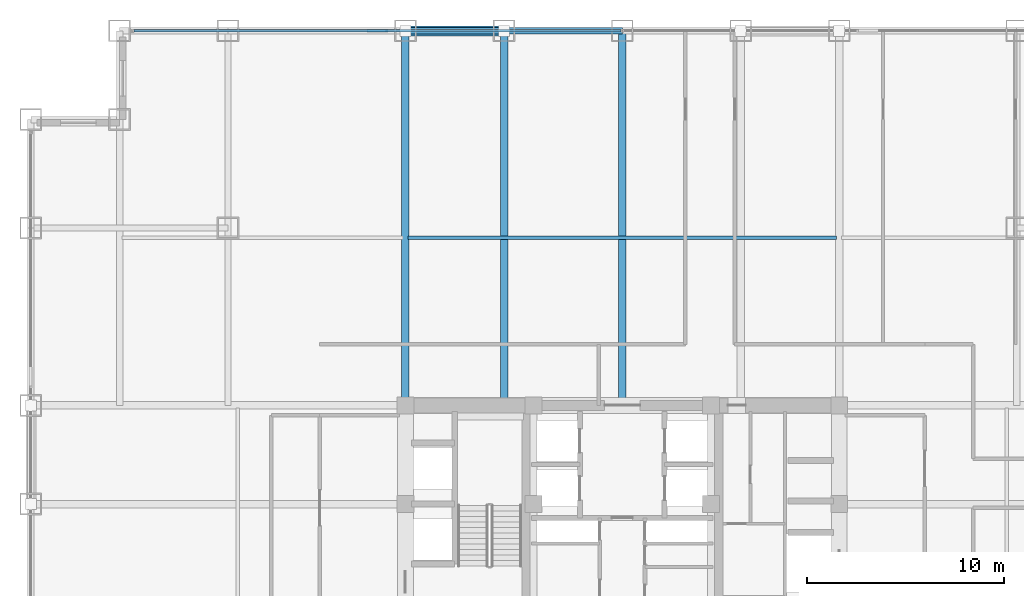
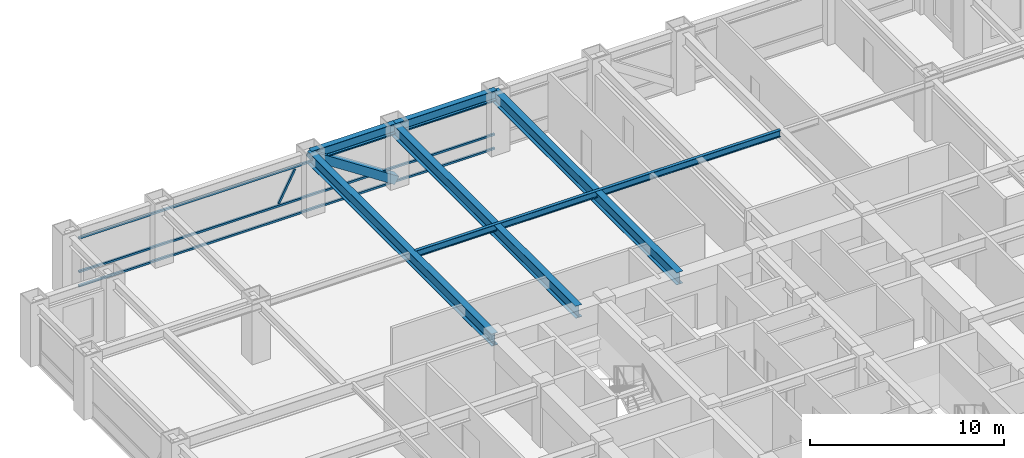
# One storey, part 15 of 24: 6 beams, 5 members, 1 element without a shape of its own.
"""IFC4 building model written with IfcOpenShell, lengths in metres."""

from ifc_helpers import new_model, si_unit, direction, frame, origin, origin_2d, place, context, subcontext, project, spatial, hollow_rectangle, i_section, extrude, source, transform, mapped, material, material_profile, profile_set, type_object, element, aggregate, save


model = new_model("IFC4")

# Units and contexts
model_context = context("Model", 3, precision=1e-05, world=origin(), true_north=direction((0.0, 1.0)))
body_context = subcontext(model_context, "Body", "Model", "MODEL_VIEW")
ifc_project = project(units=[si_unit("LENGTHUNIT", "METRE"), si_unit("AREAUNIT", "SQUARE_METRE"), si_unit("VOLUMEUNIT", "CUBIC_METRE"), si_unit("PLANEANGLEUNIT", "RADIAN"), si_unit("MASSUNIT", "GRAM", prefix="KILO")], contexts=[model_context])

# Site, building, storey
site_placement = place(None, origin())
site = spatial("IfcSite", under=ifc_project, at=site_placement, CompositionType="ELEMENT")
building_placement = place(site_placement, origin())
building = spatial("IfcBuilding", under=site, at=building_placement, Name="Khorayat Bourse Tower", CompositionType="ELEMENT")
storey_placement = place(building_placement, frame((0.0, 0.0, 159.10009765625)))
storey = spatial("IfcBuildingStorey", under=building, at=storey_placement, Name="L36", CompositionType="ELEMENT", Elevation=159.10009765625)

# Beams
ifc_material_1 = material(Name="Steel ASTM A992 Grade 50", Category="steel")
ifc_material_profile_1 = material_profile(ifc_material_1, i_section(OverallWidth=0.381103515625, OverallDepth=0.77294921875, WebThickness=0.0166015625, FlangeThickness=0.027587890625, FilletRadius=0.01806640625, at=origin_2d()), Name="W760X257")
ifc_profile_set_1 = profile_set([ifc_material_profile_1], Name="Steel ASTM A992 Grade 50")
beam_type_1 = type_object("IfcBeamType", Name="BM-GIRD-760", PredefinedType="BEAM", material=ifc_profile_set_1)
shared_shape_1 = source(origin(), body_context, "Body", "SweptSolid", [
    extrude(i_section(OverallWidth=0.381103515625, OverallDepth=0.77294921875, WebThickness=0.0166015625, FlangeThickness=0.027587890625, FilletRadius=0.01806640625, at=origin_2d()), origin(), (0.0, 0.0, 1.0), 19.0),
])
for number, where, z_axis, x_axis, name in (
    (1, (-11.0, 11.0, 3.393310546875), (0.0, 1.0, 0.0), (-1.0, 0.0, 0.0), "L36 BM-GIRD-760 BM-L36-RADY-064"),
    (2, (-6.0, 11.0, 3.393310546875), (0.0, 1.0, 0.0), (-1.0, 0.0, 0.0), "L36 BM-GIRD-760 BM-L36-RADY-066"),
    (3, (0.0, 11.0, 3.393310546875), (0.0, 1.0, 0.0), (-1.0, 0.0, 0.0), "L36 BM-GIRD-760 BM-L36-RADY-068"),
):
    element("IfcBeam", number, at=place(storey_placement, frame(where, z_axis=z_axis, x_axis=x_axis)), inside=storey, type_object=beam_type_1, Name=name, PredefinedType="BEAM", context=body_context, shape_type="MappedRepresentation", body=[
        mapped(shared_shape_1, transform((0.0, 0.0, 0.0), scale=1.0)),
    ])
ifc_material_profile_2 = material_profile(ifc_material_1, i_section(OverallWidth=0.180908203125, OverallDepth=0.4169921875, WebThickness=0.010986328125, FlangeThickness=0.018310546875, FilletRadius=0.011962890625, at=origin_2d()), Name="W410X85")
ifc_profile_set_2 = profile_set([ifc_material_profile_2], Name="Steel ASTM A992 Grade 50")
beam_type_2 = type_object("IfcBeamType", Name="BM-JOIST-410", PredefinedType="JOIST", material=ifc_profile_set_2)
shared_shape_2 = source(origin(), body_context, "Body", "SweptSolid", [
    extrude(i_section(OverallWidth=0.180908203125, OverallDepth=0.4169921875, WebThickness=0.010986328125, FlangeThickness=0.018310546875, FilletRadius=0.011962890625, at=origin_2d()), origin(), (0.0, 0.0, 1.0), 21.740234375),
])
beam_1_placement = place(storey_placement, frame((-10.8701171875, 19.5, 3.5712890625), z_axis=(1.0, 0.0, 0.0), x_axis=(0.0, 1.0, 0.0)))
element("IfcBeam", 4, at=beam_1_placement, inside=storey, type_object=beam_type_2, Name="L36 BM-JOIST-410 BM-L36-JSTX-100", PredefinedType="JOIST", context=body_context, shape_type="MappedRepresentation", body=[
    mapped(shared_shape_2, transform((0.0, 0.0, 0.0), scale=1.0)),
])
ifc_material_profile_3 = material_profile(ifc_material_1, i_section(OverallWidth=0.324951171875, OverallDepth=0.615966796875, WebThickness=0.013916015625, FlangeThickness=0.021484375, FilletRadius=0.01611328125, at=origin_2d()), Name="W610X174")
ifc_profile_set_3 = profile_set([ifc_material_profile_3], Name="Steel ASTM A992 Grade 50")
beam_type_3 = type_object("IfcBeamType", Name="BM-SPAN-610", PredefinedType="SPANDREL", material=ifc_profile_set_3)
shared_shape_3 = source(origin(), body_context, "Body", "SweptSolid", [
    extrude(i_section(OverallWidth=0.324951171875, OverallDepth=0.615966796875, WebThickness=0.013916015625, FlangeThickness=0.021484375, FilletRadius=0.01611328125, at=origin_2d()), origin(), (0.0, 0.0, 1.0), 5.0),
])
beam_2_placement = place(storey_placement, frame((-11.0, 30.0, 3.471923828125), z_axis=(1.0, 0.0, 0.0), x_axis=(0.0, 1.0, 0.0)))
element("IfcBeam", 5, at=beam_2_placement, inside=storey, type_object=beam_type_3, Name="L36 BM-SPAN-610 BM-L36-SPN-049", PredefinedType="SPANDREL", context=body_context, shape_type="MappedRepresentation", body=[
    mapped(shared_shape_3, transform((0.0, 0.0, 0.0), scale=1.0)),
])
shared_shape_4 = source(origin(), body_context, "Body", "SweptSolid", [
    extrude(i_section(OverallWidth=0.324951171875, OverallDepth=0.615966796875, WebThickness=0.013916015625, FlangeThickness=0.021484375, FilletRadius=0.01611328125, at=origin_2d()), origin(), (0.0, 0.0, 1.0), 6.0),
])
beam_3_placement = place(storey_placement, frame((-6.0, 30.0, 3.471923828125), z_axis=(1.0, 0.0, 0.0), x_axis=(0.0, 1.0, 0.0)))
element("IfcBeam", 6, at=beam_3_placement, inside=storey, type_object=beam_type_3, Name="L36 BM-SPAN-610 BM-L36-SPN-048", PredefinedType="SPANDREL", context=body_context, shape_type="MappedRepresentation", body=[
    mapped(shared_shape_4, transform((0.0, 0.0, 0.0), scale=1.0)),
])

# Member
ifc_material_2 = material(Name="Steel EN 10025-4 S460M", Category="steel")
ifc_material_profile_4 = material_profile(ifc_material_2, hollow_rectangle(XDim=0.5, YDim=0.5, WallThickness=0.028076171875, at=origin_2d()), Name="HSS 500x500x28")
ifc_profile_set_4 = profile_set([ifc_material_profile_4], Name="Steel EN 10025-4 S460M")
member_type_1 = type_object("IfcMemberType", Name="MBR-TUBE-500", PredefinedType="BRACE", material=ifc_profile_set_4)
shared_shape_5 = source(origin(), body_context, "Body", "SweptSolid", [
    extrude(hollow_rectangle(XDim=0.5, YDim=0.5, WallThickness=0.028076171875, at=origin_2d()), origin(), (0.0, 0.0, 1.0), 5.979736328125),
])
member_1_placement = place(storey_placement, frame((-11.0, 30.0, 3.52978515625), z_axis=(0.836160261256, 0.0, -0.548485202623), x_axis=(0.0, 1.0, 0.0)))
element("IfcMember", 7, at=member_1_placement, inside=storey, type_object=member_type_1, Name="L36 Perimeter Tube Brace 03", PredefinedType="BRACE", context=body_context, shape_type="MappedRepresentation", body=[
    mapped(shared_shape_5, transform((0.0, 0.0, 0.0), scale=1.0)),
])

# Curtain wall, members
ifc_material_3 = material(Name="Aluminium EN AW-6063 T6", Category="aluminium")
curtain_wall_type = type_object("IfcCurtainWallType", Name="CW-SYS-03", PredefinedType="NOTDEFINED", material=ifc_material_3)
curtain_wall_placement = place(storey_placement, origin())
curtain_wall = element("IfcCurtainWall", 8, at=curtain_wall_placement, inside=storey, type_object=curtain_wall_type, Name="L36 Curtain Wall CW-L36-N1", PredefinedType="NOTDEFINED")
ifc_material_profile_5 = material_profile(ifc_material_3, hollow_rectangle(XDim=0.1201171875, YDim=0.1201171875, WallThickness=0.0048828125, at=origin_2d()), Name="ALU 120x120x5")
ifc_profile_set_5 = profile_set([ifc_material_profile_5], Name="Aluminium EN AW-6063 T6")
member_type_2 = type_object("IfcMemberType", Name="CWM-DIAG-120", PredefinedType="MULLION", material=ifc_profile_set_5)
shared_shape_6 = source(origin(), body_context, "Body", "SweptSolid", [
    extrude(hollow_rectangle(XDim=0.1201171875, YDim=0.1201171875, WallThickness=0.0048828125, at=origin_2d()), origin(), (0.0, 0.0, 1.0), 2.079345703125),
])
member_2_placement = place(storey_placement, frame((-12.904296875, 30.0, 1.08984375), z_axis=(0.465760949701, 0.0, 0.884910581773), x_axis=(0.0, 1.0, 0.0)))
member_2 = element("IfcMember", 9, at=member_2_placement, type_object=member_type_2, Name="CW-L36-N1 Faceted Diagonal Mullion 1", PredefinedType="MULLION", context=body_context, shape_type="MappedRepresentation", body=[
    mapped(shared_shape_6, transform((0.0, 0.0, 0.0), scale=1.0)),
])
ifc_material_profile_6 = material_profile(ifc_material_3, hollow_rectangle(XDim=0.1201171875, YDim=0.1201171875, WallThickness=0.0048828125, at=origin_2d()), Name="ALU 120x120x5")
ifc_profile_set_6 = profile_set([ifc_material_profile_6], Name="Aluminium EN AW-6063 T6")
member_type_3 = type_object("IfcMemberType", Name="CWT-HORZ-120", PredefinedType="USERDEFINED", material=ifc_profile_set_6)
shared_shape_7 = source(origin(), body_context, "Body", "SweptSolid", [
    extrude(hollow_rectangle(XDim=0.1201171875, YDim=0.1201171875, WallThickness=0.0048828125, at=origin_2d()), origin(), (0.0, 0.0, 1.0), 24.719970703125),
])
member_3_placement = place(storey_placement, frame((-24.780029296875, 30.0, 0.059814453125), z_axis=(1.0, 0.0, 0.0), x_axis=(0.0, 1.0, 0.0)))
member_3 = element("IfcMember", 10, at=member_3_placement, type_object=member_type_3, Name="CW-L36-N1 Horizontal Transom 1-1", ObjectType="TRANSOM", PredefinedType="USERDEFINED", context=body_context, shape_type="MappedRepresentation", body=[
    mapped(shared_shape_7, transform((0.0, 0.0, 0.0), scale=1.0)),
])
member_4_placement = place(storey_placement, frame((-24.780029296875, 30.0, 0.949951171875), z_axis=(1.0, 0.0, 0.0), x_axis=(0.0, 1.0, 0.0)))
member_4 = element("IfcMember", 11, at=member_4_placement, type_object=member_type_3, Name="CW-L36-N1 Horizontal Transom 1-2", ObjectType="TRANSOM", PredefinedType="USERDEFINED", context=body_context, shape_type="MappedRepresentation", body=[
    mapped(shared_shape_7, transform((0.0, 0.0, 0.0), scale=1.0)),
])
member_5_placement = place(storey_placement, frame((-24.780029296875, 30.0, 3.06982421875), z_axis=(1.0, 0.0, 0.0), x_axis=(0.0, 1.0, 0.0)))
member_5 = element("IfcMember", 12, at=member_5_placement, type_object=member_type_3, Name="CW-L36-N1 Horizontal Transom 1-3", ObjectType="TRANSOM", PredefinedType="USERDEFINED", context=body_context, shape_type="MappedRepresentation", body=[
    mapped(shared_shape_7, transform((0.0, 0.0, 0.0), scale=1.0)),
])
aggregate(curtain_wall, [member_3, member_4, member_5, member_2])

save(model, "model.ifc")
